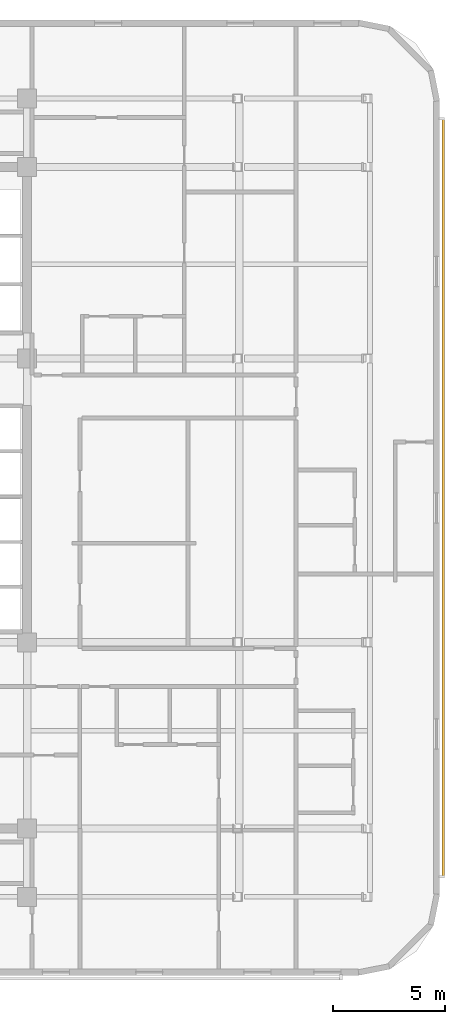
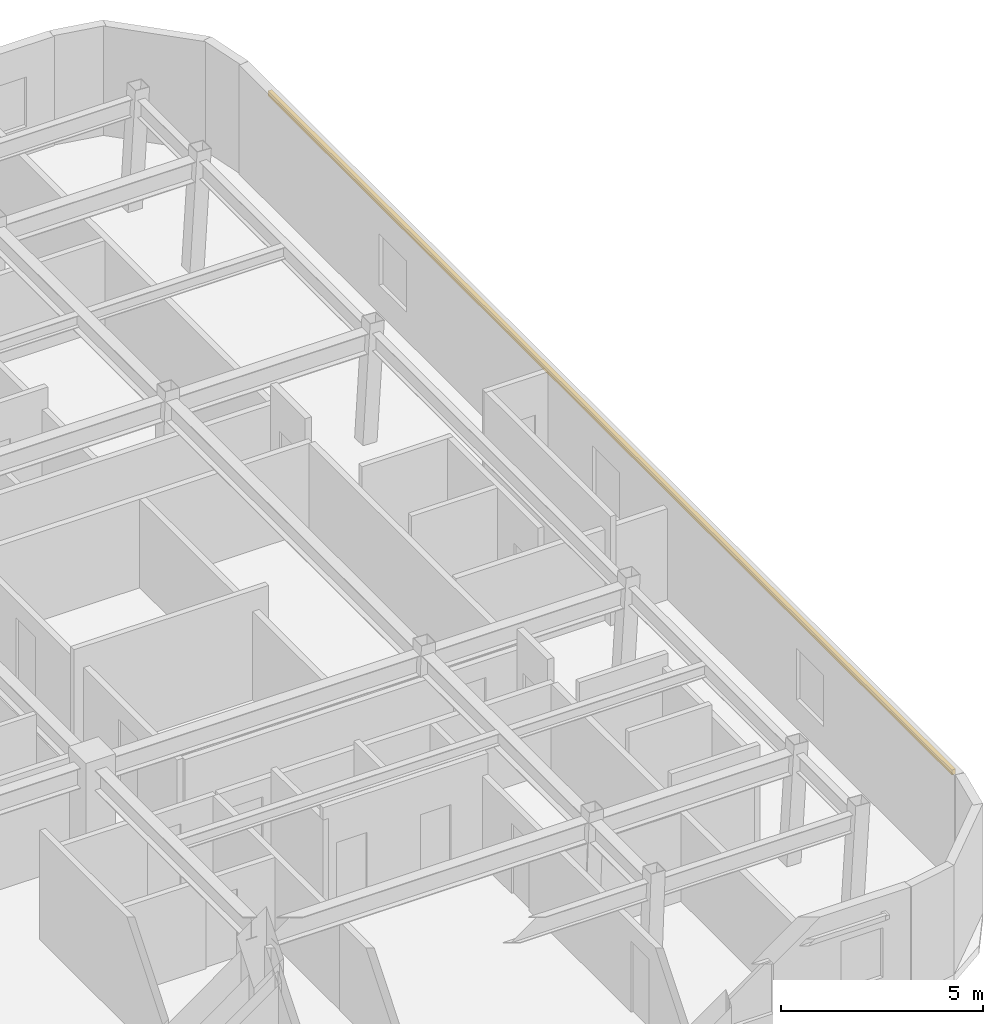
# One storey, part 10 of 11: 1 shading device.
"""IFC4 building model written with IfcOpenShell, lengths in metres."""

from ifc_helpers import new_model, si_unit, direction, frame, origin, origin_2d, place, context, subcontext, project, spatial, rectangle, extrude, material, material_profile, profile_set, type_object, element, save


model = new_model("IFC4")

# Units and contexts
model_context = context("Model", 3, precision=1e-05, world=origin(), true_north=direction((0.0, 1.0)))
body_context = subcontext(model_context, "Body", "Model", "MODEL_VIEW")
ifc_project = project(units=[si_unit("LENGTHUNIT", "METRE"), si_unit("AREAUNIT", "SQUARE_METRE"), si_unit("VOLUMEUNIT", "CUBIC_METRE"), si_unit("PLANEANGLEUNIT", "RADIAN"), si_unit("MASSUNIT", "GRAM", prefix="KILO")], contexts=[model_context])

# Site, building, storey
site_placement = place(None, origin())
site = spatial("IfcSite", under=ifc_project, at=site_placement, CompositionType="ELEMENT")
building_placement = place(site_placement, origin())
building = spatial("IfcBuilding", under=site, at=building_placement, Name="Ochreholt Gables", CompositionType="ELEMENT")
storey_placement = place(building_placement, frame((0.0, 0.0, 132.0)))
storey = spatial("IfcBuildingStorey", under=building, at=storey_placement, Name="L34", CompositionType="ELEMENT", Elevation=132.0)

# Shading device
ifc_material = material(Name="Warm Ochre Glazed Terracotta Baguette", Category="masonry")
ifc_material_profile = material_profile(ifc_material, rectangle(XDim=0.110107421875, YDim=0.14990234375, at=origin_2d()), Name="TCBAG110X150")
ifc_profile_set = profile_set([ifc_material_profile], Name="Warm Ochre Glazed Terracotta Baguette")
shading_device_type = type_object("IfcShadingDeviceType", Name="SHD-BAGUETTE", PredefinedType="USERDEFINED", material=ifc_profile_set)
shading_device_placement = place(storey_placement, frame((53.75, 7.10009765625, 2.780029296875), z_axis=(0.0, 1.0, 0.0), x_axis=(-1.0, 0.0, 0.0)))
element("IfcShadingDevice", 1, at=shading_device_placement, inside=storey, type_object=shading_device_type, Name="L34 Terracotta Baguette Screen E-1", ObjectType="BAGUETTE", PredefinedType="USERDEFINED", context=body_context, shape_type="SweptSolid", body=[
    extrude(rectangle(XDim=0.110107421875, YDim=0.14990234375, at=origin_2d()), origin(), (0.0, 0.0, 1.0), 33.7998046875),
])

save(model, "model.ifc")
